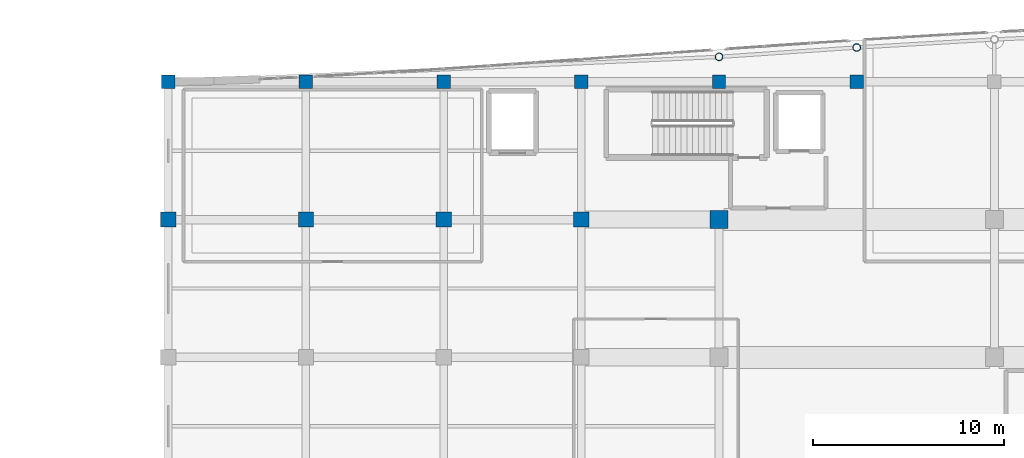
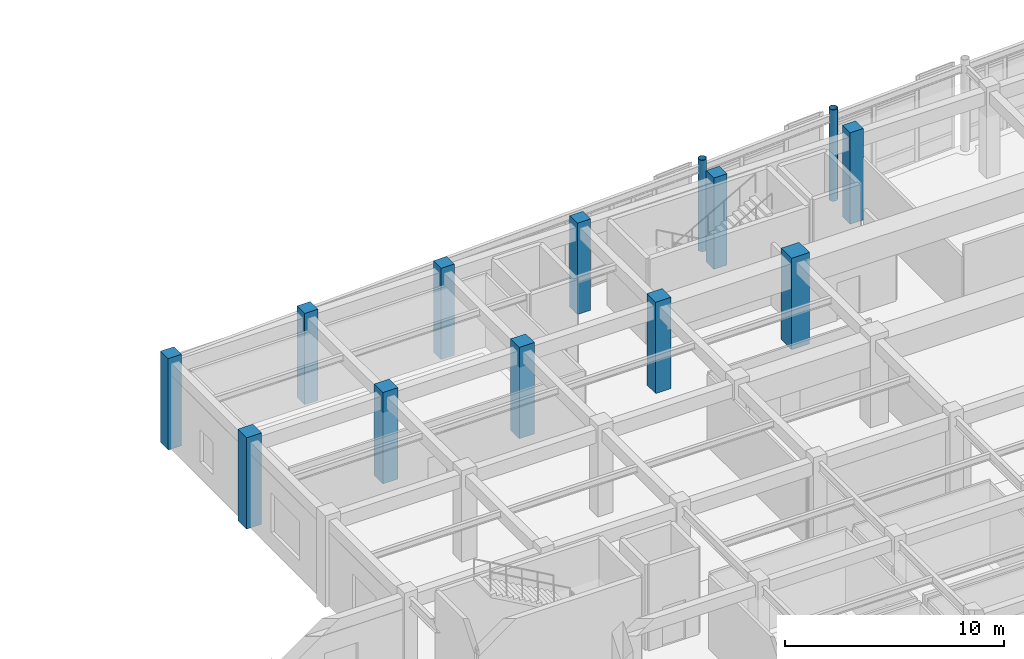
# One storey, part 6 of 117: 13 columns.
"""IFC4 building model written with IfcOpenShell, lengths in metres."""

from ifc_helpers import new_model, si_unit, direction, frame, origin, origin_2d, place, context, subcontext, project, spatial, rectangle, hollow_circle, extrude, material, material_profile, profile_set, type_object, element, save


model = new_model("IFC4")

# Units and contexts
model_context = context("Model", 3, precision=1e-05, world=origin(), true_north=direction((0.0, 1.0)))
body_context = subcontext(model_context, "Body", "Model", "MODEL_VIEW")
ifc_project = project(units=[si_unit("LENGTHUNIT", "METRE"), si_unit("AREAUNIT", "SQUARE_METRE"), si_unit("VOLUMEUNIT", "CUBIC_METRE"), si_unit("PLANEANGLEUNIT", "RADIAN"), si_unit("MASSUNIT", "GRAM", prefix="KILO")], contexts=[model_context])

# Site, building, storey
site_placement = place(None, origin())
site = spatial("IfcSite", under=ifc_project, at=site_placement, CompositionType="ELEMENT")
building_placement = place(site_placement, origin())
building = spatial("IfcBuilding", under=site, at=building_placement, Name="Carrowvane Square Congress Hotel", CompositionType="ELEMENT")
storey_placement = place(building_placement, frame((0.0, 0.0, 5.39990234375)))
storey = spatial("IfcBuildingStorey", under=building, at=storey_placement, Name="L01", CompositionType="ELEMENT", Elevation=5.39990234375)

# Columns
ifc_material_1 = material(Name="Concrete C40/50", Category="concrete")
ifc_material_profile_1 = material_profile(ifc_material_1, rectangle(XDim=0.699951171875, YDim=0.699951171875, at=origin_2d()), Name="RC 700x700")
ifc_profile_set_1 = profile_set([ifc_material_profile_1], Name="Concrete C40/50")
column_type_1 = type_object("IfcColumnType", Name="COL-RC-700", PredefinedType="COLUMN", material=ifc_profile_set_1)
for number, where, z_axis, x_axis, name in (
    (1, (33.199951171875, 113.39990234375, 0.0), (0.0, 0.0, 1.0), (1.0, 0.0, 0.0), "L01 column 4/R"),
    (2, (40.39990234375, 113.39990234375, 0.0), (0.0, 0.0, 1.0), (1.0, 0.0, 0.0), "L01 column 5/R"),
    (3, (47.60009765625, 113.39990234375, 0.0), (0.0, 0.0, 1.0), (1.0, 0.0, 0.0), "L01 column 6/R"),
    (4, (54.800048828125, 113.39990234375, 0.0), (0.0, 0.0, 1.0), (1.0, 0.0, 0.0), "L01 column 7/R"),
    (5, (62.0, 113.39990234375, 0.0), (0.0, 0.0, 1.0), (1.0, 0.0, 0.0), "L01 column 8/R"),
    (6, (69.199951171875, 113.39990234375, 0.0), (0.0, 0.0, 1.0), (1.0, 0.0, 0.0), "L01 column 9/R"),
):
    element("IfcColumn", number, at=place(storey_placement, frame(where, z_axis=z_axis, x_axis=x_axis)), inside=storey, type_object=column_type_1, Name=name, PredefinedType="COLUMN", context=body_context, shape_type="SweptSolid", body=[
        extrude(rectangle(XDim=0.699951171875, YDim=0.699951171875, at=origin_2d()), origin(), (0.0, 0.0, 1.0), 5.10009765625),
    ])
ifc_material_2 = material(Name="Concrete C40/50", Category="concrete")
ifc_material_profile_2 = material_profile(ifc_material_2, rectangle(XDim=0.800048828125, YDim=0.800048828125, at=origin_2d()), Name="RC 800x800")
ifc_profile_set_2 = profile_set([ifc_material_profile_2], Name="Concrete C40/50")
column_type_2 = type_object("IfcColumnType", Name="COL-RC-800", PredefinedType="COLUMN", material=ifc_profile_set_2)
for number, where, z_axis, x_axis, name in (
    (7, (33.199951171875, 106.199951171875, 0.0), (0.0, 0.0, 1.0), (1.0, 0.0, 0.0), "L01 column 4/Q"),
    (8, (40.39990234375, 106.199951171875, 0.0), (0.0, 0.0, 1.0), (1.0, 0.0, 0.0), "L01 column 5/Q"),
    (9, (47.60009765625, 106.199951171875, 0.0), (0.0, 0.0, 1.0), (1.0, 0.0, 0.0), "L01 column 6/Q"),
    (10, (54.800048828125, 106.199951171875, 0.0), (0.0, 0.0, 1.0), (1.0, 0.0, 0.0), "L01 column 7/Q"),
):
    element("IfcColumn", number, at=place(storey_placement, frame(where, z_axis=z_axis, x_axis=x_axis)), inside=storey, type_object=column_type_2, Name=name, PredefinedType="COLUMN", context=body_context, shape_type="SweptSolid", body=[
        extrude(rectangle(XDim=0.800048828125, YDim=0.800048828125, at=origin_2d()), origin(), (0.0, 0.0, 1.0), 5.10009765625),
    ])
ifc_material_3 = material(Name="Steel S355", Category="steel")
ifc_material_profile_3 = material_profile(ifc_material_3, hollow_circle(Radius=0.203125, WallThickness=0.02001953125, at=origin_2d()), Name="CHS 406.4x20")
ifc_profile_set_3 = profile_set([ifc_material_profile_3], Name="Steel S355")
column_type_3 = type_object("IfcColumnType", Name="COL-ST-CHS406", PredefinedType="COLUMN", material=ifc_profile_set_3)
for number, where, z_axis, x_axis, name in (
    (11, (62.0, 114.7060546875, 0.0), (0.0, 0.0, 1.0), (1.0, 0.0, 0.0), "L01 column 8/ARC"),
    (12, (69.199951171875, 115.1943359375, 0.0), (0.0, 0.0, 1.0), (1.0, 0.0, 0.0), "L01 column 9/ARC"),
):
    element("IfcColumn", number, at=place(storey_placement, frame(where, z_axis=z_axis, x_axis=x_axis)), inside=storey, type_object=column_type_3, Name=name, PredefinedType="COLUMN", context=body_context, shape_type="SweptSolid", body=[
        extrude(hollow_circle(Radius=0.203125, WallThickness=0.02001953125, at=origin_2d()), origin(), (0.0, 0.0, 1.0), 5.10009765625),
    ])
ifc_material_4 = material(Name="Concrete C40/50", Category="concrete")
ifc_material_profile_4 = material_profile(ifc_material_4, rectangle(XDim=0.949951171875, YDim=0.949951171875, at=origin_2d()), Name="RC 950x950")
ifc_profile_set_4 = profile_set([ifc_material_profile_4], Name="Concrete C40/50")
column_type_4 = type_object("IfcColumnType", Name="MCOL-RC-1000", PredefinedType="COLUMN", material=ifc_profile_set_4)
column_placement = place(storey_placement, frame((62.0, 106.199951171875, 0.0), z_axis=(0.0, 0.0, 1.0), x_axis=(1.0, 0.0, 0.0)))
element("IfcColumn", 13, at=column_placement, inside=storey, type_object=column_type_4, Name="L01 column 8/Q", PredefinedType="COLUMN", context=body_context, shape_type="SweptSolid", body=[
    extrude(rectangle(XDim=0.949951171875, YDim=0.949951171875, at=origin_2d()), origin(), (0.0, 0.0, 1.0), 5.10009765625),
])

save(model, "model.ifc")
